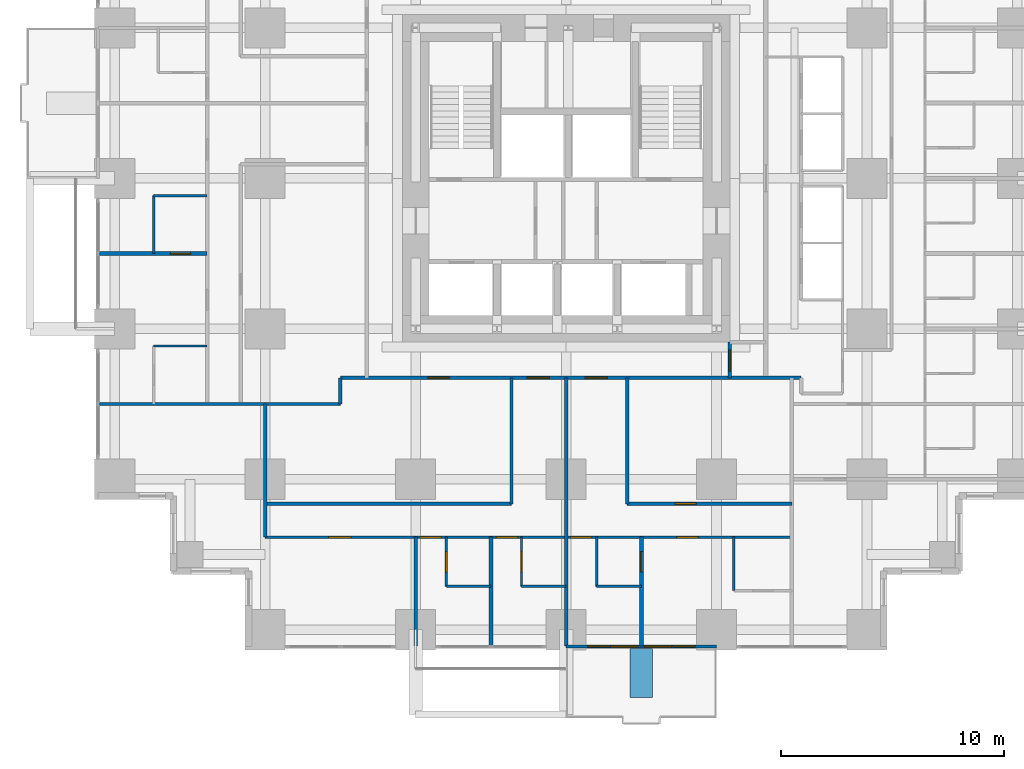
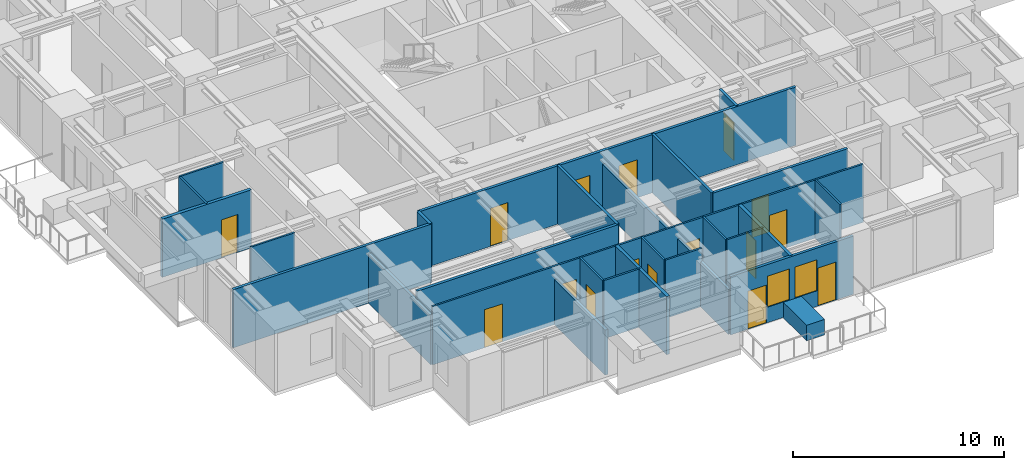
# One storey, part 8 of 14: 27 walls, 16 doors, 2 windows, 18 openings.
"""IFC4 building model written with IfcOpenShell, lengths in metres."""

from ifc_helpers import new_model, si_unit, direction, frame, frame_2d, origin, place, context, subcontext, project, spatial, rectangle, extrude, material, layer, layer_set, type_object, element, fill, save


model = new_model("IFC4")

# Units and contexts
model_context = context("Model", 3, precision=1e-05, world=origin(), true_north=direction((0.0, 1.0)))
body_context = subcontext(model_context, "Body", "Model", "MODEL_VIEW")
ifc_project = project(units=[si_unit("LENGTHUNIT", "METRE"), si_unit("AREAUNIT", "SQUARE_METRE"), si_unit("VOLUMEUNIT", "CUBIC_METRE"), si_unit("PLANEANGLEUNIT", "RADIAN"), si_unit("MASSUNIT", "GRAM", prefix="KILO")], contexts=[model_context])

# Site, building, storey
site_placement = place(None, origin())
site = spatial("IfcSite", under=ifc_project, at=site_placement, CompositionType="ELEMENT")
building_placement = place(site_placement, origin())
building = spatial("IfcBuilding", under=site, at=building_placement, Name="Nyansa Garden Tower", CompositionType="ELEMENT")
storey_placement = place(building_placement, frame((0.0, 0.0, 57.60009765625)))
storey = spatial("IfcBuildingStorey", under=building, at=storey_placement, Name="L15", CompositionType="ELEMENT", Elevation=57.60009765625)

# Wall, opening, door
ifc_material_1 = material(Name="Dense blockwork, plastered both sides, 55 dB", Category="masonry")
ifc_layer_1 = layer(ifc_material_1, 0.175048828125)
ifc_layer_set_1 = layer_set([ifc_layer_1], Name="Acoustic party wall PW175")
wall_type_1 = type_object("IfcWallType", Name="Acoustic party wall PW175", PredefinedType="PARTITIONING", material=ifc_layer_set_1)
wall_1_placement = place(storey_placement, frame((-0.73388671875, 16.875, 0.0), z_axis=(0.0, 0.0, 1.0), x_axis=(1.0, 0.0, 0.0)))
wall_1 = element("IfcWall", 1, at=wall_1_placement, inside=storey, type_object=wall_type_1, Name="Party wall", PredefinedType="PARTITIONING", context=body_context, shape_type="SweptSolid", body=[
    extrude(rectangle(XDim=4.8837890625, YDim=0.175048828125, at=frame_2d((2.44189453125, 0.0))), origin(), (0.0, 0.0, 1.0), 3.375),
])
opening_1_placement = place(wall_1_placement, frame((3.23388671875, 0.0, 0.0)))
opening_1 = element("IfcOpeningElement", 2, at=opening_1_placement, cuts=wall_1, Name="Opening D02", PredefinedType="OPENING", context=body_context, shape_type="SweptSolid", body=[
    extrude(rectangle(XDim=0.89990234375, YDim=2.199951171875, at=frame_2d((0.449951171875, 1.10009765625))), frame((0.0, 0.097412109375, 0.0), z_axis=(0.0, -1.0, 0.0), x_axis=(1.0, 0.0, 0.0)), (0.0, 0.0, 1.0), 0.195068359375),
])
ifc_material_2 = material(Name="Timber flush door", Category="wood")
door_type_1 = type_object("IfcDoorType", Name="En-suite door D02 900x2200", OperationType="SINGLE_SWING_RIGHT", PredefinedType="DOOR", material=ifc_material_2)
door_1_placement = place(opening_1_placement, origin())
door_1 = element("IfcDoor", 3, at=door_1_placement, inside=storey, type_object=door_type_1, Name="Door L15-075", OperationType="SINGLE_SWING_RIGHT", OverallHeight=2.199951171875, OverallWidth=0.89990234375, PredefinedType="DOOR", context=body_context, shape_type="SweptSolid", body=[
    extrude(rectangle(XDim=0.89990234375, YDim=2.199951171875, at=frame_2d((0.449951171875, 1.10009765625))), frame((0.0, 0.02490234375, 0.0), z_axis=(0.0, -1.0, 0.0), x_axis=(1.0, 0.0, 0.0)), (0.0, 0.0, 1.0), 0.050048828125),
])
fill(opening_1, door_1)

# Wall
wall_2_placement = place(storey_placement, frame((16.875, -0.73388671875, 0.0), z_axis=(0.0, 0.0, 1.0), x_axis=(0.0, 1.0, 0.0)))
element("IfcWall", 4, at=wall_2_placement, inside=storey, type_object=wall_type_1, Name="Party wall", PredefinedType="PARTITIONING", context=body_context, shape_type="SweptSolid", body=[
    extrude(rectangle(XDim=4.8837890625, YDim=0.175048828125, at=frame_2d((2.44189453125, 0.0))), origin(), (0.0, 0.0, 1.0), 3.375),
])

# Wall, opening, door
wall_3_placement = place(storey_placement, frame((23.625, -0.73388671875, 0.0), z_axis=(0.0, 0.0, 1.0), x_axis=(0.0, 1.0, 0.0)))
wall_3 = element("IfcWall", 5, at=wall_3_placement, inside=storey, type_object=wall_type_1, Name="Party wall", PredefinedType="PARTITIONING", context=body_context, shape_type="SweptSolid", body=[
    extrude(rectangle(XDim=4.8837890625, YDim=0.175048828125, at=frame_2d((2.44189453125, 0.0))), origin(), (0.0, 0.0, 1.0), 3.375),
])
opening_2_placement = place(wall_3_placement, frame((3.333984375, 0.0, 0.0)))
opening_2 = element("IfcOpeningElement", 6, at=opening_2_placement, cuts=wall_3, Name="Opening D02", PredefinedType="OPENING", context=body_context, shape_type="SweptSolid", body=[
    extrude(rectangle(XDim=0.89990234375, YDim=2.199951171875, at=frame_2d((0.449951171875, 1.10009765625))), frame((0.0, 0.097412109375, 0.0), z_axis=(0.0, -1.0, 0.0), x_axis=(1.0, 0.0, 0.0)), (0.0, 0.0, 1.0), 0.195068359375),
])
door_2_placement = place(opening_2_placement, origin())
door_2 = element("IfcDoor", 7, at=door_2_placement, inside=storey, type_object=door_type_1, Name="Door L15-027", OperationType="SINGLE_SWING_RIGHT", OverallHeight=2.199951171875, OverallWidth=0.89990234375, PredefinedType="DOOR", context=body_context, shape_type="SweptSolid", body=[
    extrude(rectangle(XDim=0.89990234375, YDim=2.199951171875, at=frame_2d((0.449951171875, 1.10009765625))), frame((0.0, 0.02490234375, 0.0), z_axis=(0.0, -1.0, 0.0), x_axis=(1.0, 0.0, 0.0)), (0.0, 0.0, 1.0), 0.050048828125),
])
fill(opening_2, door_2)

# Wall, openings, doors, windows
ifc_material_3 = material(Name="Black aluminium framed glazed screen", Category="aluminium")
ifc_layer_2 = layer(ifc_material_3, 0.14990234375)
ifc_layer_set_2 = layer_set([ifc_layer_2], Name="Balcony screen wall BW150")
wall_type_2 = type_object("IfcWallType", Name="Balcony screen wall BW150", PredefinedType="SOLIDWALL", material=ifc_layer_set_2)
wall_4_placement = place(storey_placement, frame((27.0, -0.75, 0.0), z_axis=(0.0, 0.0, 1.0), x_axis=(-1.0, 0.0, 0.0)))
wall_4 = element("IfcWall", 8, at=wall_4_placement, inside=storey, type_object=wall_type_2, Name="Glazed screen wall L15 S", PredefinedType="SOLIDWALL", context=body_context, shape_type="SweptSolid", body=[
    extrude(rectangle(XDim=6.75, YDim=0.14990234375, at=frame_2d((3.375, 0.0))), origin(), (0.0, 0.0, 1.0), 3.375),
])
opening_3_placement = place(wall_4_placement, frame((0.96240234375, 0.0, 0.0)))
opening_3 = element("IfcOpeningElement", 9, at=opening_3_placement, cuts=wall_4, Name="Opening D20", PredefinedType="OPENING", context=body_context, shape_type="SweptSolid", body=[
    extrude(rectangle(XDim=1.0, YDim=2.199951171875, at=frame_2d((0.5, 1.10009765625))), frame((0.0, 0.0849609375, 0.0), z_axis=(0.0, -1.0, 0.0), x_axis=(1.0, 0.0, 0.0)), (0.0, 0.0, 1.0), 0.169921875),
])
opening_4_placement = place(wall_4_placement, frame((2.02490234375, 0.0, 0.89990234375)))
opening_4 = element("IfcOpeningElement", 10, at=opening_4_placement, cuts=wall_4, Name="Opening W6", PredefinedType="OPENING", context=body_context, shape_type="SweptSolid", body=[
    extrude(rectangle(XDim=1.199951171875, YDim=1.800048828125, at=frame_2d((0.60009765625, 0.89990234375))), frame((0.0, 0.0849609375, 0.0), z_axis=(0.0, -1.0, 0.0), x_axis=(1.0, 0.0, 0.0)), (0.0, 0.0, 1.0), 0.169921875),
])
opening_5_placement = place(wall_4_placement, frame((4.78759765625, 0.0, 0.0)))
opening_5 = element("IfcOpeningElement", 11, at=opening_5_placement, cuts=wall_4, Name="Opening D20", PredefinedType="OPENING", context=body_context, shape_type="SweptSolid", body=[
    extrude(rectangle(XDim=1.0, YDim=2.199951171875, at=frame_2d((0.5, 1.10009765625))), frame((0.0, 0.0849609375, 0.0), z_axis=(0.0, -1.0, 0.0), x_axis=(1.0, 0.0, 0.0)), (0.0, 0.0, 1.0), 0.169921875),
])
opening_6_placement = place(wall_4_placement, frame((3.52490234375, 0.0, 0.89990234375)))
opening_6 = element("IfcOpeningElement", 12, at=opening_6_placement, cuts=wall_4, Name="Opening W6", PredefinedType="OPENING", context=body_context, shape_type="SweptSolid", body=[
    extrude(rectangle(XDim=1.199951171875, YDim=1.800048828125, at=frame_2d((0.60009765625, 0.89990234375))), frame((0.0, 0.0849609375, 0.0), z_axis=(0.0, -1.0, 0.0), x_axis=(1.0, 0.0, 0.0)), (0.0, 0.0, 1.0), 0.169921875),
])
ifc_material_4 = material(Name="Black aluminium framed glazed door", Category="aluminium")
door_type_2 = type_object("IfcDoorType", Name="Balcony door D20 1000x2200", OperationType="NOTDEFINED", PredefinedType="DOOR", material=ifc_material_4)
door_3_placement = place(opening_3_placement, origin())
door_3 = element("IfcDoor", 13, at=door_3_placement, inside=storey, type_object=door_type_2, Name="Balcony door L15", OperationType="SINGLE_SWING_LEFT", OverallHeight=2.199951171875, OverallWidth=1.0, PredefinedType="DOOR", context=body_context, shape_type="SweptSolid", body=[
    extrude(rectangle(XDim=1.0, YDim=2.199951171875, at=frame_2d((0.5, 1.10009765625))), frame((0.0, 0.02490234375, 0.0), z_axis=(0.0, -1.0, 0.0), x_axis=(1.0, 0.0, 0.0)), (0.0, 0.0, 1.0), 0.050048828125),
])
fill(opening_3, door_3)
door_4_placement = place(opening_5_placement, origin())
door_4 = element("IfcDoor", 14, at=door_4_placement, inside=storey, type_object=door_type_2, Name="Balcony door L15", OperationType="SINGLE_SWING_RIGHT", OverallHeight=2.199951171875, OverallWidth=1.0, PredefinedType="DOOR", context=body_context, shape_type="SweptSolid", body=[
    extrude(rectangle(XDim=1.0, YDim=2.199951171875, at=frame_2d((0.5, 1.10009765625))), frame((0.0, 0.02490234375, 0.0), z_axis=(0.0, -1.0, 0.0), x_axis=(1.0, 0.0, 0.0)), (0.0, 0.0, 1.0), 0.050048828125),
])
fill(opening_5, door_4)
ifc_material_5 = material(Name="Black aluminium frame, dark tinted double glazing", Category="aluminium")
window_type = type_object("IfcWindowType", Name="Balcony window W6 1200x1800", PartitioningType="SINGLE_PANEL", PredefinedType="WINDOW", material=ifc_material_5)
window_1_placement = place(opening_4_placement, origin())
window_1 = element("IfcWindow", 15, at=window_1_placement, inside=storey, type_object=window_type, Name="Window L15", OverallHeight=1.800048828125, OverallWidth=1.199951171875, PartitioningType="SINGLE_PANEL", PredefinedType="WINDOW", context=body_context, shape_type="SweptSolid", body=[
    extrude(rectangle(XDim=1.199951171875, YDim=1.800048828125, at=frame_2d((0.60009765625, 0.89990234375))), frame((0.0, 0.030029296875, 0.0), z_axis=(0.0, -1.0, 0.0), x_axis=(1.0, 0.0, 0.0)), (0.0, 0.0, 1.0), 0.06005859375),
])
fill(opening_4, window_1)
window_2_placement = place(opening_6_placement, origin())
window_2 = element("IfcWindow", 16, at=window_2_placement, inside=storey, type_object=window_type, Name="Window L15", OverallHeight=1.800048828125, OverallWidth=1.199951171875, PartitioningType="SINGLE_PANEL", PredefinedType="WINDOW", context=body_context, shape_type="SweptSolid", body=[
    extrude(rectangle(XDim=1.199951171875, YDim=1.800048828125, at=frame_2d((0.60009765625, 0.89990234375))), frame((0.0, 0.030029296875, 0.0), z_axis=(0.0, -1.0, 0.0), x_axis=(1.0, 0.0, 0.0)), (0.0, 0.0, 1.0), 0.06005859375),
])
fill(opening_6, window_2)

# Walls
ifc_material_6 = material(Name="Blockwork, plastered both sides", Category="masonry")
ifc_layer_3 = layer(ifc_material_6, 0.14990234375)
ifc_layer_set_3 = layer_set([ifc_layer_3], Name="Partition PW150")
wall_type_3 = type_object("IfcWallType", Name="Partition PW150", PredefinedType="PARTITIONING", material=ifc_layer_set_3)
wall_5_placement = place(storey_placement, frame((-0.73388671875, 10.125, 0.0), z_axis=(0.0, 0.0, 1.0), x_axis=(1.0, 0.0, 0.0)))
element("IfcWall", 17, at=wall_5_placement, inside=storey, type_object=wall_type_3, Name="Partition", PredefinedType="PARTITIONING", context=body_context, shape_type="SweptSolid", body=[
    extrude(rectangle(XDim=10.85888671875, YDim=0.14990234375, at=frame_2d((5.429443359375, 0.0))), origin(), (0.0, 0.0, 1.0), 3.375),
])
wall_6_placement = place(storey_placement, frame((6.75, 4.14990234375, 0.0), z_axis=(0.0, 0.0, 1.0), x_axis=(0.0, 1.0, 0.0)))
element("IfcWall", 18, at=wall_6_placement, inside=storey, type_object=wall_type_3, Name="Partition", PredefinedType="PARTITIONING", context=body_context, shape_type="SweptSolid", body=[
    extrude(rectangle(XDim=5.97509765625, YDim=0.14990234375, at=frame_2d((2.987548828125, 0.0))), origin(), (0.0, 0.0, 1.0), 2.876953125),
])
wall_7_placement = place(storey_placement, frame((6.75, 5.64990234375, 0.0), z_axis=(0.0, 0.0, 1.0), x_axis=(1.0, 0.0, 0.0)))
element("IfcWall", 19, at=wall_7_placement, inside=storey, type_object=wall_type_3, Name="Partition", PredefinedType="PARTITIONING", context=body_context, shape_type="SweptSolid", body=[
    extrude(rectangle(XDim=11.050048828125, YDim=0.14990234375, at=frame_2d((5.52490234375, 0.0))), origin(), (0.0, 0.0, 1.0), 3.375),
])
wall_8_placement = place(storey_placement, frame((10.125, 10.125, 0.0), z_axis=(0.0, 0.0, 1.0), x_axis=(0.0, 1.0, 0.0)))
element("IfcWall", 20, at=wall_8_placement, inside=storey, type_object=wall_type_3, Name="Partition", PredefinedType="PARTITIONING", context=body_context, shape_type="SweptSolid", body=[
    extrude(rectangle(XDim=1.175048828125, YDim=0.14990234375, at=frame_2d((0.58740234375, 0.0))), origin(), (0.0, 0.0, 1.0), 3.375),
])

# Wall, openings, doors
wall_9_placement = place(storey_placement, frame((10.125, 11.300048828125, 0.0), z_axis=(0.0, 0.0, 1.0), x_axis=(1.0, 0.0, 0.0)))
wall_9 = element("IfcWall", 21, at=wall_9_placement, inside=storey, type_object=wall_type_3, Name="Partition", PredefinedType="PARTITIONING", context=body_context, shape_type="SweptSolid", body=[
    extrude(rectangle(XDim=20.675048828125, YDim=0.14990234375, at=frame_2d((10.33740234375, 0.0))), origin(), (0.0, 0.0, 1.0), 3.375),
])
opening_7_placement = place(wall_9_placement, frame((8.375, 0.0, 0.0)))
opening_7 = element("IfcOpeningElement", 22, at=opening_7_placement, cuts=wall_9, Name="Opening D03", PredefinedType="OPENING", context=body_context, shape_type="SweptSolid", body=[
    extrude(rectangle(XDim=1.0, YDim=2.199951171875, at=frame_2d((0.5, 1.10009765625))), frame((0.0, 0.0849609375, 0.0), z_axis=(0.0, -1.0, 0.0), x_axis=(1.0, 0.0, 0.0)), (0.0, 0.0, 1.0), 0.169921875),
])
opening_8_placement = place(wall_9_placement, frame((10.97509765625, 0.0, 0.0)))
opening_8 = element("IfcOpeningElement", 23, at=opening_8_placement, cuts=wall_9, Name="Opening D03", PredefinedType="OPENING", context=body_context, shape_type="SweptSolid", body=[
    extrude(rectangle(XDim=1.0, YDim=2.199951171875, at=frame_2d((0.5, 1.10009765625))), frame((0.0, 0.0849609375, 0.0), z_axis=(0.0, -1.0, 0.0), x_axis=(1.0, 0.0, 0.0)), (0.0, 0.0, 1.0), 0.169921875),
])
opening_9_placement = place(wall_9_placement, frame((3.925048828125, 0.0, 0.0)))
opening_9 = element("IfcOpeningElement", 24, at=opening_9_placement, cuts=wall_9, Name="Opening D01", PredefinedType="OPENING", context=body_context, shape_type="SweptSolid", body=[
    extrude(rectangle(XDim=0.949951171875, YDim=2.199951171875, at=frame_2d((0.47509765625, 1.10009765625))), frame((0.0, 0.0849609375, 0.0), z_axis=(0.0, -1.0, 0.0), x_axis=(1.0, 0.0, 0.0)), (0.0, 0.0, 1.0), 0.169921875),
])
ifc_material_7 = material(Name="Timber flush door, 30 minute fire resisting", Category="wood")
door_type_3 = type_object("IfcDoorType", Name="Bedroom door D01 950x2200", OperationType="SINGLE_SWING_LEFT", PredefinedType="DOOR", material=ifc_material_7)
door_5_placement = place(opening_9_placement, origin())
door_5 = element("IfcDoor", 25, at=door_5_placement, inside=storey, type_object=door_type_3, Name="Door L15-029", OperationType="SINGLE_SWING_LEFT", OverallHeight=2.199951171875, OverallWidth=0.949951171875, PredefinedType="DOOR", context=body_context, shape_type="SweptSolid", body=[
    extrude(rectangle(XDim=0.949951171875, YDim=2.199951171875, at=frame_2d((0.47509765625, 1.10009765625))), frame((0.0, 0.02490234375, 0.0), z_axis=(0.0, -1.0, 0.0), x_axis=(1.0, 0.0, 0.0)), (0.0, 0.0, 1.0), 0.050048828125),
])
fill(opening_9, door_5)
ifc_material_8 = material(Name="Timber flush door, 60 minute fire resisting", Category="wood")
door_type_4 = type_object("IfcDoorType", Name="Cluster entrance door D03 1000x2200", OperationType="SINGLE_SWING_LEFT", PredefinedType="DOOR", material=ifc_material_8)
door_6_placement = place(opening_7_placement, origin())
door_6 = element("IfcDoor", 26, at=door_6_placement, inside=storey, type_object=door_type_4, Name="Door L15-023", OperationType="SINGLE_SWING_LEFT", OverallHeight=2.199951171875, OverallWidth=1.0, PredefinedType="DOOR", context=body_context, shape_type="SweptSolid", body=[
    extrude(rectangle(XDim=1.0, YDim=2.199951171875, at=frame_2d((0.5, 1.10009765625))), frame((0.0, 0.02490234375, 0.0), z_axis=(0.0, -1.0, 0.0), x_axis=(1.0, 0.0, 0.0)), (0.0, 0.0, 1.0), 0.050048828125),
])
fill(opening_7, door_6)
door_7_placement = place(opening_8_placement, origin())
door_7 = element("IfcDoor", 27, at=door_7_placement, inside=storey, type_object=door_type_4, Name="Door L15-028", OperationType="SINGLE_SWING_LEFT", OverallHeight=2.199951171875, OverallWidth=1.0, PredefinedType="DOOR", context=body_context, shape_type="SweptSolid", body=[
    extrude(rectangle(XDim=1.0, YDim=2.199951171875, at=frame_2d((0.5, 1.10009765625))), frame((0.0, 0.02490234375, 0.0), z_axis=(0.0, -1.0, 0.0), x_axis=(1.0, 0.0, 0.0)), (0.0, 0.0, 1.0), 0.050048828125),
])
fill(opening_8, door_7)

# Walls
wall_10_placement = place(storey_placement, frame((13.5, -0.73388671875, 0.0), z_axis=(0.0, 0.0, 1.0), x_axis=(0.0, 1.0, 0.0)))
element("IfcWall", 28, at=wall_10_placement, inside=storey, type_object=wall_type_3, Name="Partition", PredefinedType="PARTITIONING", context=body_context, shape_type="SweptSolid", body=[
    extrude(rectangle(XDim=4.8837890625, YDim=0.14990234375, at=frame_2d((2.44189453125, 0.0))), origin(), (0.0, 0.0, 1.0), 2.60986328125),
])
wall_11_placement = place(storey_placement, frame((17.800048828125, 5.64990234375, 0.0), z_axis=(0.0, 0.0, 1.0), x_axis=(0.0, 1.0, 0.0)))
element("IfcWall", 29, at=wall_11_placement, inside=storey, type_object=wall_type_3, Name="Partition", PredefinedType="PARTITIONING", context=body_context, shape_type="SweptSolid", body=[
    extrude(rectangle(XDim=5.650146484375, YDim=0.14990234375, at=frame_2d((2.8251953125, 0.0))), origin(), (0.0, 0.0, 1.0), 3.375),
])
wall_12_placement = place(storey_placement, frame((20.25, -0.73388671875, 0.0), z_axis=(0.0, 0.0, 1.0), x_axis=(0.0, 1.0, 0.0)))
element("IfcWall", 30, at=wall_12_placement, inside=storey, type_object=wall_type_3, Name="Partition", PredefinedType="PARTITIONING", context=body_context, shape_type="SweptSolid", body=[
    extrude(rectangle(XDim=12.033935546875, YDim=0.14990234375, at=frame_2d((6.01708984375, 0.0))), origin(), (0.0, 0.0, 1.0), 2.60986328125),
])

# Wall, opening, door
wall_13_placement = place(storey_placement, frame((22.987548828125, 5.64990234375, 0.0), z_axis=(0.0, 0.0, 1.0), x_axis=(1.0, 0.0, 0.0)))
wall_13 = element("IfcWall", 31, at=wall_13_placement, inside=storey, type_object=wall_type_3, Name="Partition", PredefinedType="PARTITIONING", context=body_context, shape_type="SweptSolid", body=[
    extrude(rectangle(XDim=7.387451171875, YDim=0.14990234375, at=frame_2d((3.69384765625, 0.0))), origin(), (0.0, 0.0, 1.0), 3.375),
])
opening_10_placement = place(wall_13_placement, frame((2.14990234375, 0.0, 0.0)))
opening_10 = element("IfcOpeningElement", 32, at=opening_10_placement, cuts=wall_13, Name="Opening D01", PredefinedType="OPENING", context=body_context, shape_type="SweptSolid", body=[
    extrude(rectangle(XDim=0.949951171875, YDim=2.199951171875, at=frame_2d((0.47509765625, 1.10009765625))), frame((0.0, 0.0849609375, 0.0), z_axis=(0.0, -1.0, 0.0), x_axis=(1.0, 0.0, 0.0)), (0.0, 0.0, 1.0), 0.169921875),
])
door_8_placement = place(opening_10_placement, origin())
door_8 = element("IfcDoor", 33, at=door_8_placement, inside=storey, type_object=door_type_3, Name="Door L15-030", OperationType="SINGLE_SWING_LEFT", OverallHeight=2.199951171875, OverallWidth=0.949951171875, PredefinedType="DOOR", context=body_context, shape_type="SweptSolid", body=[
    extrude(rectangle(XDim=0.949951171875, YDim=2.199951171875, at=frame_2d((0.47509765625, 1.10009765625))), frame((0.0, 0.02490234375, 0.0), z_axis=(0.0, -1.0, 0.0), x_axis=(1.0, 0.0, 0.0)), (0.0, 0.0, 1.0), 0.050048828125),
])
fill(opening_10, door_8)

# Wall
wall_14_placement = place(storey_placement, frame((22.988037109375, 5.64990234375, 0.0), z_axis=(0.0, 0.0, 1.0), x_axis=(0.0, 1.0, 0.0)))
element("IfcWall", 34, at=wall_14_placement, inside=storey, type_object=wall_type_3, Name="Partition", PredefinedType="PARTITIONING", context=body_context, shape_type="SweptSolid", body=[
    extrude(rectangle(XDim=5.650146484375, YDim=0.14990234375, at=frame_2d((2.8251953125, 0.0))), origin(), (0.0, 0.0, 1.0), 3.375),
])

# Wall, opening, door
wall_15_placement = place(storey_placement, frame((27.60009765625, 11.300048828125, 0.0), z_axis=(0.0, 0.0, 1.0), x_axis=(0.0, 1.0, 0.0)))
wall_15 = element("IfcWall", 35, at=wall_15_placement, inside=storey, type_object=wall_type_3, Name="Partition", PredefinedType="PARTITIONING", context=body_context, shape_type="SweptSolid", body=[
    extrude(rectangle(XDim=1.599853515625, YDim=0.14990234375, at=frame_2d((0.7998046875, 0.0))), origin(), (0.0, 0.0, 1.0), 3.375),
])
opening_11_placement = place(wall_15_placement, frame((0.300048828125, 0.0, 0.0)))
opening_11 = element("IfcOpeningElement", 36, at=opening_11_placement, cuts=wall_15, Name="Opening D01", PredefinedType="OPENING", context=body_context, shape_type="SweptSolid", body=[
    extrude(rectangle(XDim=0.949951171875, YDim=2.199951171875, at=frame_2d((0.47509765625, 1.10009765625))), frame((0.0, 0.0849609375, 0.0), z_axis=(0.0, -1.0, 0.0), x_axis=(1.0, 0.0, 0.0)), (0.0, 0.0, 1.0), 0.169921875),
])
door_9_placement = place(opening_11_placement, origin())
door_9 = element("IfcDoor", 37, at=door_9_placement, inside=storey, type_object=door_type_3, Name="Door L15-017", OperationType="SINGLE_SWING_LEFT", OverallHeight=2.199951171875, OverallWidth=0.949951171875, PredefinedType="DOOR", context=body_context, shape_type="SweptSolid", body=[
    extrude(rectangle(XDim=0.949951171875, YDim=2.199951171875, at=frame_2d((0.47509765625, 1.10009765625))), frame((0.0, 0.02490234375, 0.0), z_axis=(0.0, -1.0, 0.0), x_axis=(1.0, 0.0, 0.0)), (0.0, 0.0, 1.0), 0.050048828125),
])
fill(opening_11, door_9)

# Walls
ifc_material_9 = material(Name="Concrete C40/50 planter, waterproofed", Category="concrete")
ifc_layer_4 = layer(ifc_material_9, 1.0)
ifc_layer_set_4 = layer_set([ifc_layer_4], Name="Tree planter TP1")
wall_type_4 = type_object("IfcWallType", Name="Tree planter TP1", PredefinedType="USERDEFINED", material=ifc_layer_set_4)
wall_16_placement = place(storey_placement, frame((23.625, -0.85009765625, 0.0), z_axis=(0.0, 0.0, 1.0), x_axis=(0.0, -1.0, 0.0)))
element("IfcWall", 38, at=wall_16_placement, inside=storey, type_object=wall_type_4, Name="Tree planter L15", ObjectType="TREE PLANTER", PredefinedType="USERDEFINED", context=body_context, shape_type="SweptSolid", body=[
    extrude(rectangle(XDim=2.199951171875, YDim=1.0, at=frame_2d((1.10009765625, 0.0))), origin(), (0.0, 0.0, 1.0), 0.89990234375),
])
ifc_material_10 = material(Name="Moisture resistant board on steel studs, tiled", Category="steel")
ifc_layer_5 = layer(ifc_material_10, 0.10009765625)
ifc_layer_set_5 = layer_set([ifc_layer_5], Name="Wet wall PW100")
wall_type_5 = type_object("IfcWallType", Name="Wet wall PW100", PredefinedType="PARTITIONING", material=ifc_layer_set_5)
wall_17_placement = place(storey_placement, frame((1.75, 12.72509765625, 0.0), z_axis=(0.0, 0.0, 1.0), x_axis=(1.0, 0.0, 0.0)))
element("IfcWall", 39, at=wall_17_placement, inside=storey, type_object=wall_type_5, Name="Wet wall", PredefinedType="PARTITIONING", context=body_context, shape_type="SweptSolid", body=[
    extrude(rectangle(XDim=2.39990234375, YDim=0.10009765625, at=frame_2d((1.199951171875, 0.0))), origin(), (0.0, 0.0, 1.0), 3.375),
])
wall_18_placement = place(storey_placement, frame((1.75, 16.875, 0.0), z_axis=(0.0, 0.0, 1.0), x_axis=(0.0, 1.0, 0.0)))
element("IfcWall", 40, at=wall_18_placement, inside=storey, type_object=wall_type_5, Name="Wet wall", PredefinedType="PARTITIONING", context=body_context, shape_type="SweptSolid", body=[
    extrude(rectangle(XDim=2.60009765625, YDim=0.10009765625, at=frame_2d((1.300048828125, 0.0))), origin(), (0.0, 0.0, 1.0), 3.375),
])
wall_19_placement = place(storey_placement, frame((1.75, 19.47509765625, 0.0), z_axis=(0.0, 0.0, 1.0), x_axis=(1.0, 0.0, 0.0)))
element("IfcWall", 41, at=wall_19_placement, inside=storey, type_object=wall_type_5, Name="Wet wall", PredefinedType="PARTITIONING", context=body_context, shape_type="SweptSolid", body=[
    extrude(rectangle(XDim=2.39990234375, YDim=0.10009765625, at=frame_2d((1.199951171875, 0.0))), origin(), (0.0, 0.0, 1.0), 3.375),
])

# Wall, openings, doors
wall_20_placement = place(storey_placement, frame((6.75, 4.14990234375, 0.0), z_axis=(0.0, 0.0, 1.0), x_axis=(1.0, 0.0, 0.0)))
wall_20 = element("IfcWall", 42, at=wall_20_placement, inside=storey, type_object=wall_type_5, Name="Wet wall", PredefinedType="PARTITIONING", context=body_context, shape_type="SweptSolid", body=[
    extrude(rectangle(XDim=23.625, YDim=0.10009765625, at=frame_2d((11.8125, 0.0))), origin(), (0.0, 0.0, 1.0), 3.375),
])
opening_12_placement = place(wall_20_placement, frame((2.85009765625, 0.0, 0.0)))
opening_12 = element("IfcOpeningElement", 43, at=opening_12_placement, cuts=wall_20, Name="Opening D03", PredefinedType="OPENING", context=body_context, shape_type="SweptSolid", body=[
    extrude(rectangle(XDim=1.0, YDim=2.199951171875, at=frame_2d((0.5, 1.10009765625))), frame((0.0, 0.06005859375, 0.0), z_axis=(0.0, -1.0, 0.0), x_axis=(1.0, 0.0, 0.0)), (0.0, 0.0, 1.0), 0.1201171875),
])
opening_13_placement = place(wall_20_placement, frame((6.949951171875, 0.0, 0.0)))
opening_13 = element("IfcOpeningElement", 44, at=opening_13_placement, cuts=wall_20, Name="Opening D01", PredefinedType="OPENING", context=body_context, shape_type="SweptSolid", body=[
    extrude(rectangle(XDim=0.949951171875, YDim=2.199951171875, at=frame_2d((0.47509765625, 1.10009765625))), frame((0.0, 0.06005859375, 0.0), z_axis=(0.0, -1.0, 0.0), x_axis=(1.0, 0.0, 0.0)), (0.0, 0.0, 1.0), 0.1201171875),
])
opening_14_placement = place(wall_20_placement, frame((10.375, 0.0, 0.0)))
opening_14 = element("IfcOpeningElement", 45, at=opening_14_placement, cuts=wall_20, Name="Opening D01", PredefinedType="OPENING", context=body_context, shape_type="SweptSolid", body=[
    extrude(rectangle(XDim=0.949951171875, YDim=2.199951171875, at=frame_2d((0.47509765625, 1.10009765625))), frame((0.0, 0.06005859375, 0.0), z_axis=(0.0, -1.0, 0.0), x_axis=(1.0, 0.0, 0.0)), (0.0, 0.0, 1.0), 0.1201171875),
])
opening_15_placement = place(wall_20_placement, frame((18.47509765625, 0.0, 0.0)))
opening_15 = element("IfcOpeningElement", 46, at=opening_15_placement, cuts=wall_20, Name="Opening D14", PredefinedType="OPENING", context=body_context, shape_type="SweptSolid", body=[
    extrude(rectangle(XDim=0.949951171875, YDim=2.199951171875, at=frame_2d((0.47509765625, 1.10009765625))), frame((0.0, 0.06005859375, 0.0), z_axis=(0.0, -1.0, 0.0), x_axis=(1.0, 0.0, 0.0)), (0.0, 0.0, 1.0), 0.1201171875),
])
opening_16_placement = place(wall_20_placement, frame((13.699951171875, 0.0, 0.0)))
opening_16 = element("IfcOpeningElement", 47, at=opening_16_placement, cuts=wall_20, Name="Opening D14", PredefinedType="OPENING", context=body_context, shape_type="SweptSolid", body=[
    extrude(rectangle(XDim=0.949951171875, YDim=2.199951171875, at=frame_2d((0.47509765625, 1.10009765625))), frame((0.0, 0.06005859375, 0.0), z_axis=(0.0, -1.0, 0.0), x_axis=(1.0, 0.0, 0.0)), (0.0, 0.0, 1.0), 0.1201171875),
])
door_10_placement = place(opening_13_placement, origin())
door_10 = element("IfcDoor", 48, at=door_10_placement, inside=storey, type_object=door_type_3, Name="Door L15-019", OperationType="SINGLE_SWING_LEFT", OverallHeight=2.199951171875, OverallWidth=0.949951171875, PredefinedType="DOOR", context=body_context, shape_type="SweptSolid", body=[
    extrude(rectangle(XDim=0.949951171875, YDim=2.199951171875, at=frame_2d((0.47509765625, 1.10009765625))), frame((0.0, 0.02490234375, 0.0), z_axis=(0.0, -1.0, 0.0), x_axis=(1.0, 0.0, 0.0)), (0.0, 0.0, 1.0), 0.050048828125),
])
fill(opening_13, door_10)
door_11_placement = place(opening_14_placement, origin())
door_11 = element("IfcDoor", 49, at=door_11_placement, inside=storey, type_object=door_type_3, Name="Door L15-021", OperationType="SINGLE_SWING_LEFT", OverallHeight=2.199951171875, OverallWidth=0.949951171875, PredefinedType="DOOR", context=body_context, shape_type="SweptSolid", body=[
    extrude(rectangle(XDim=0.949951171875, YDim=2.199951171875, at=frame_2d((0.47509765625, 1.10009765625))), frame((0.0, 0.02490234375, 0.0), z_axis=(0.0, -1.0, 0.0), x_axis=(1.0, 0.0, 0.0)), (0.0, 0.0, 1.0), 0.050048828125),
])
fill(opening_14, door_11)
door_12_placement = place(opening_12_placement, origin())
door_12 = element("IfcDoor", 50, at=door_12_placement, inside=storey, type_object=door_type_4, Name="Door L15-018", OperationType="SINGLE_SWING_LEFT", OverallHeight=2.199951171875, OverallWidth=1.0, PredefinedType="DOOR", context=body_context, shape_type="SweptSolid", body=[
    extrude(rectangle(XDim=1.0, YDim=2.199951171875, at=frame_2d((0.5, 1.10009765625))), frame((0.0, 0.02490234375, 0.0), z_axis=(0.0, -1.0, 0.0), x_axis=(1.0, 0.0, 0.0)), (0.0, 0.0, 1.0), 0.050048828125),
])
fill(opening_12, door_12)
ifc_material_11 = material(Name="Timber flush door, 60 minute fire resisting, self-closing", Category="wood")
door_type_5 = type_object("IfcDoorType", Name="Studio entrance door D14 950x2200", OperationType="SINGLE_SWING_LEFT", PredefinedType="DOOR", material=ifc_material_11)
door_13_placement = place(opening_15_placement, origin())
door_13 = element("IfcDoor", 51, at=door_13_placement, inside=storey, type_object=door_type_5, Name="Door L15-024", OperationType="SINGLE_SWING_LEFT", OverallHeight=2.199951171875, OverallWidth=0.949951171875, PredefinedType="DOOR", context=body_context, shape_type="SweptSolid", body=[
    extrude(rectangle(XDim=0.949951171875, YDim=2.199951171875, at=frame_2d((0.47509765625, 1.10009765625))), frame((0.0, 0.02490234375, 0.0), z_axis=(0.0, -1.0, 0.0), x_axis=(1.0, 0.0, 0.0)), (0.0, 0.0, 1.0), 0.050048828125),
])
fill(opening_15, door_13)
door_14_placement = place(opening_16_placement, origin())
door_14 = element("IfcDoor", 52, at=door_14_placement, inside=storey, type_object=door_type_5, Name="Door L15-026", OperationType="SINGLE_SWING_LEFT", OverallHeight=2.199951171875, OverallWidth=0.949951171875, PredefinedType="DOOR", context=body_context, shape_type="SweptSolid", body=[
    extrude(rectangle(XDim=0.949951171875, YDim=2.199951171875, at=frame_2d((0.47509765625, 1.10009765625))), frame((0.0, 0.02490234375, 0.0), z_axis=(0.0, -1.0, 0.0), x_axis=(1.0, 0.0, 0.0)), (0.0, 0.0, 1.0), 0.050048828125),
])
fill(opening_16, door_14)

# Wall, opening, door
wall_21_placement = place(storey_placement, frame((14.875, 1.949951171875, 0.0), z_axis=(0.0, 0.0, 1.0), x_axis=(0.0, 1.0, 0.0)))
wall_21 = element("IfcWall", 53, at=wall_21_placement, inside=storey, type_object=wall_type_5, Name="Wet wall", PredefinedType="PARTITIONING", context=body_context, shape_type="SweptSolid", body=[
    extrude(rectangle(XDim=2.199951171875, YDim=0.10009765625, at=frame_2d((1.10009765625, 0.0))), origin(), (0.0, 0.0, 1.0), 3.375),
])
opening_17_placement = place(wall_21_placement, frame((0.64990234375, 0.0, 0.0)))
opening_17 = element("IfcOpeningElement", 54, at=opening_17_placement, cuts=wall_21, Name="Opening D02", PredefinedType="OPENING", context=body_context, shape_type="SweptSolid", body=[
    extrude(rectangle(XDim=0.89990234375, YDim=2.199951171875, at=frame_2d((0.449951171875, 1.10009765625))), frame((0.0, 0.06005859375, 0.0), z_axis=(0.0, -1.0, 0.0), x_axis=(1.0, 0.0, 0.0)), (0.0, 0.0, 1.0), 0.1201171875),
])
door_15_placement = place(opening_17_placement, origin())
door_15 = element("IfcDoor", 55, at=door_15_placement, inside=storey, type_object=door_type_1, Name="Door L15-020", OperationType="SINGLE_SWING_RIGHT", OverallHeight=2.199951171875, OverallWidth=0.89990234375, PredefinedType="DOOR", context=body_context, shape_type="SweptSolid", body=[
    extrude(rectangle(XDim=0.89990234375, YDim=2.199951171875, at=frame_2d((0.449951171875, 1.10009765625))), frame((0.0, 0.02490234375, 0.0), z_axis=(0.0, -1.0, 0.0), x_axis=(1.0, 0.0, 0.0)), (0.0, 0.0, 1.0), 0.050048828125),
])
fill(opening_17, door_15)

# Wall
wall_22_placement = place(storey_placement, frame((14.875, 1.949951171875, 0.0), z_axis=(0.0, 0.0, 1.0), x_axis=(1.0, 0.0, 0.0)))
element("IfcWall", 56, at=wall_22_placement, inside=storey, type_object=wall_type_5, Name="Wet wall", PredefinedType="PARTITIONING", context=body_context, shape_type="SweptSolid", body=[
    extrude(rectangle(XDim=2.0, YDim=0.10009765625, at=frame_2d((1.0, 0.0))), origin(), (0.0, 0.0, 1.0), 3.375),
])

# Wall, opening, door
wall_23_placement = place(storey_placement, frame((18.25, 1.949951171875, 0.0), z_axis=(0.0, 0.0, 1.0), x_axis=(0.0, 1.0, 0.0)))
wall_23 = element("IfcWall", 57, at=wall_23_placement, inside=storey, type_object=wall_type_5, Name="Wet wall", PredefinedType="PARTITIONING", context=body_context, shape_type="SweptSolid", body=[
    extrude(rectangle(XDim=2.199951171875, YDim=0.10009765625, at=frame_2d((1.10009765625, 0.0))), origin(), (0.0, 0.0, 1.0), 3.375),
])
opening_18_placement = place(wall_23_placement, frame((0.64990234375, 0.0, 0.0)))
opening_18 = element("IfcOpeningElement", 58, at=opening_18_placement, cuts=wall_23, Name="Opening D02", PredefinedType="OPENING", context=body_context, shape_type="SweptSolid", body=[
    extrude(rectangle(XDim=0.89990234375, YDim=2.199951171875, at=frame_2d((0.449951171875, 1.10009765625))), frame((0.0, 0.06005859375, 0.0), z_axis=(0.0, -1.0, 0.0), x_axis=(1.0, 0.0, 0.0)), (0.0, 0.0, 1.0), 0.1201171875),
])
door_16_placement = place(opening_18_placement, origin())
door_16 = element("IfcDoor", 59, at=door_16_placement, inside=storey, type_object=door_type_1, Name="Door L15-022", OperationType="SINGLE_SWING_RIGHT", OverallHeight=2.199951171875, OverallWidth=0.89990234375, PredefinedType="DOOR", context=body_context, shape_type="SweptSolid", body=[
    extrude(rectangle(XDim=0.89990234375, YDim=2.199951171875, at=frame_2d((0.449951171875, 1.10009765625))), frame((0.0, 0.02490234375, 0.0), z_axis=(0.0, -1.0, 0.0), x_axis=(1.0, 0.0, 0.0)), (0.0, 0.0, 1.0), 0.050048828125),
])
fill(opening_18, door_16)

# Walls
wall_24_placement = place(storey_placement, frame((18.25, 1.949951171875, 0.0), z_axis=(0.0, 0.0, 1.0), x_axis=(1.0, 0.0, 0.0)))
element("IfcWall", 60, at=wall_24_placement, inside=storey, type_object=wall_type_5, Name="Wet wall", PredefinedType="PARTITIONING", context=body_context, shape_type="SweptSolid", body=[
    extrude(rectangle(XDim=2.0, YDim=0.10009765625, at=frame_2d((1.0, 0.0))), origin(), (0.0, 0.0, 1.0), 3.375),
])
wall_25_placement = place(storey_placement, frame((21.625, 1.949951171875, 0.0), z_axis=(0.0, 0.0, 1.0), x_axis=(0.0, 1.0, 0.0)))
element("IfcWall", 61, at=wall_25_placement, inside=storey, type_object=wall_type_5, Name="Wet wall", PredefinedType="PARTITIONING", context=body_context, shape_type="SweptSolid", body=[
    extrude(rectangle(XDim=2.199951171875, YDim=0.10009765625, at=frame_2d((1.10009765625, 0.0))), origin(), (0.0, 0.0, 1.0), 3.375),
])
wall_26_placement = place(storey_placement, frame((21.625, 1.949951171875, 0.0), z_axis=(0.0, 0.0, 1.0), x_axis=(1.0, 0.0, 0.0)))
element("IfcWall", 62, at=wall_26_placement, inside=storey, type_object=wall_type_5, Name="Wet wall", PredefinedType="PARTITIONING", context=body_context, shape_type="SweptSolid", body=[
    extrude(rectangle(XDim=2.0, YDim=0.10009765625, at=frame_2d((1.0, 0.0))), origin(), (0.0, 0.0, 1.0), 3.375),
])
wall_27_placement = place(storey_placement, frame((27.77490234375, 1.75, 0.0), z_axis=(0.0, 0.0, 1.0), x_axis=(0.0, 1.0, 0.0)))
element("IfcWall", 63, at=wall_27_placement, inside=storey, type_object=wall_type_5, Name="Wet wall", PredefinedType="PARTITIONING", context=body_context, shape_type="SweptSolid", body=[
    extrude(rectangle(XDim=2.39990234375, YDim=0.10009765625, at=frame_2d((1.199951171875, 0.0))), origin(), (0.0, 0.0, 1.0), 3.375),
])

save(model, "model.ifc")
